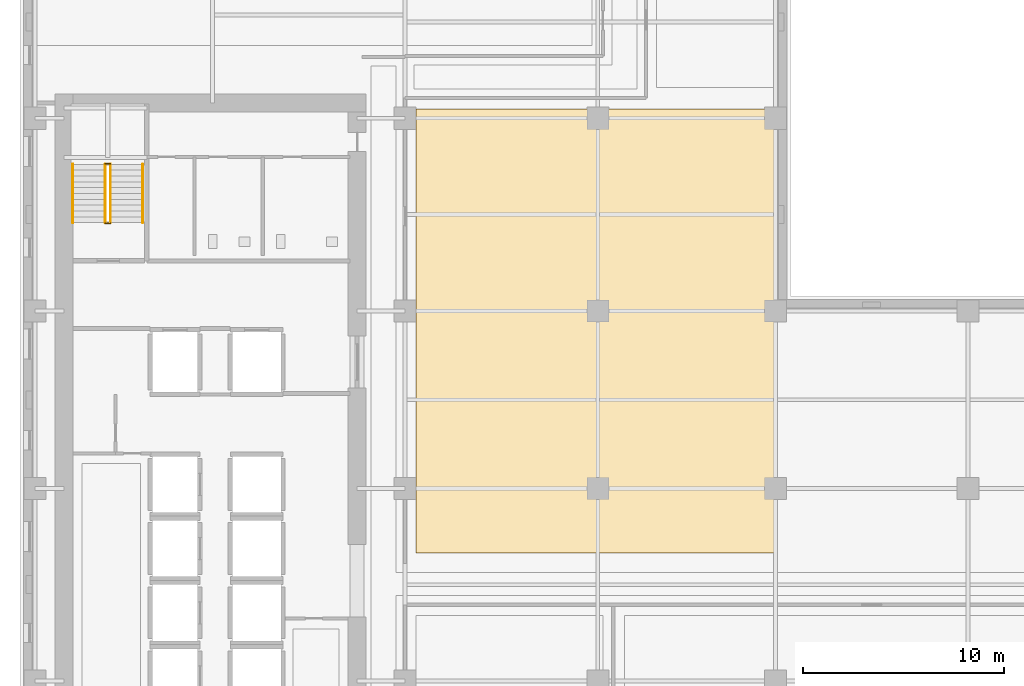
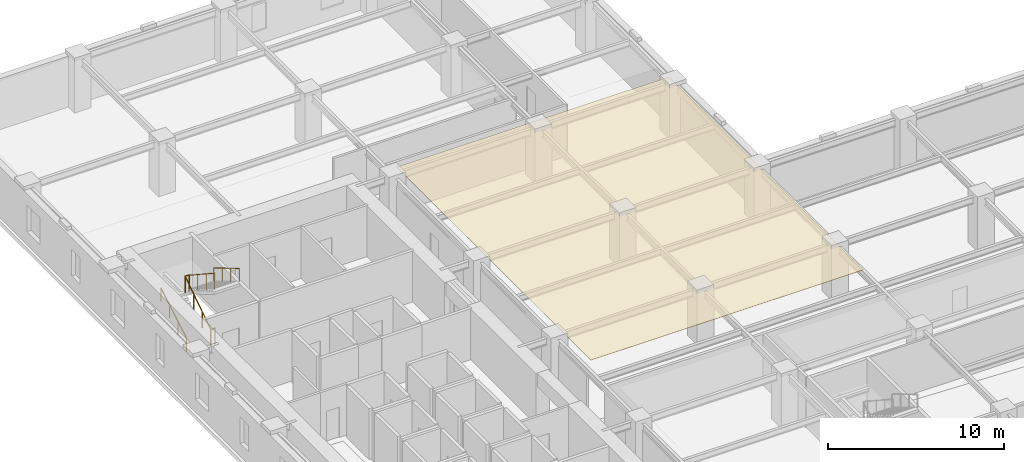
# One storey, part 11 of 13: 6 railings, 1 covering.
"""IFC4 building model written with IfcOpenShell, lengths in metres."""

from ifc_helpers import new_model, si_unit, direction, frame, origin, origin_2d, place, context, subcontext, project, spatial, polyline, circle, outline, extrude, material, layer, layer_set, type_object, element, save


model = new_model("IFC4")

# Units and contexts
model_context = context("Model", 3, precision=1e-05, world=origin(), true_north=direction((0.0, 1.0)))
body_context = subcontext(model_context, "Body", "Model", "MODEL_VIEW")
ifc_project = project(units=[si_unit("LENGTHUNIT", "METRE"), si_unit("AREAUNIT", "SQUARE_METRE"), si_unit("VOLUMEUNIT", "CUBIC_METRE"), si_unit("PLANEANGLEUNIT", "RADIAN"), si_unit("MASSUNIT", "GRAM", prefix="KILO")], contexts=[model_context])

# Site, building, storey
site_placement = place(None, origin())
site = spatial("IfcSite", under=ifc_project, at=site_placement, CompositionType="ELEMENT")
building_placement = place(site_placement, origin())
building = spatial("IfcBuilding", under=site, at=building_placement, Name="Norrvale University Quadrangle", CompositionType="ELEMENT")
storey_placement = place(building_placement, frame((0.0, 0.0, 81.199951171875)))
storey = spatial("IfcBuildingStorey", under=building, at=storey_placement, Name="L20", CompositionType="ELEMENT", Elevation=81.199951171875)

# Covering
ifc_material_1 = material(Name="Perforated Acoustic Mineral Ceiling")
ifc_layer = layer(ifc_material_1, 0.02490234375, Name="Perforated Acoustic Mineral Ceiling")
ifc_layer_set = layer_set([ifc_layer], Name="Perforated Acoustic Mineral Ceiling")
covering_type = type_object("IfcCoveringType", Name="Covering Acoustic Ceiling 25", PredefinedType="CEILING", material=ifc_layer_set)
covering_placement = place(storey_placement, frame((0.0, 0.0, 3.51513671875)))
element("IfcCovering", 1, at=covering_placement, inside=storey, type_object=covering_type, Name="Acoustic Ceiling RM-L20-MNE01", PredefinedType="CEILING", context=body_context, shape_type="SweptSolid", body=[
    extrude(outline(polyline([(19.72998046875, 47.719970703125), (37.64990234375, 47.719970703125), (37.64990234375, 25.580078125), (19.72998046875, 25.580078125), (19.72998046875, 47.719970703125)])), origin(), (0.0, 0.0, 1.0), 0.02490234375),
])

# Railings
ifc_material_2 = material(Name="Steel 350W Painted Balustrade", Category="steel")
railing_type_1 = type_object("IfcRailingType", Name="Railing Stair Guard 1100", PredefinedType="GUARDRAIL", material=ifc_material_2)
for number, where, name in (
    (2, (4.239990234375, 42.02001953125, 0.0), "Stair Floor Well Guard ST-02 L20"),
    (3, (4.239990234375, 44.97998046875, 1.900146484375), "Stair Mid-Landing Slot Guard ST-02 L20"),
):
    element("IfcRailing", number, at=place(storey_placement, frame(where)), inside=storey, type_object=railing_type_1, Name=name, PredefinedType="GUARDRAIL", context=body_context, shape_type="SweptSolid", body=[
        extrude(circle(Radius=0.02392578125, at=origin_2d()), frame((0.0, 0.0, 1.1259765625), z_axis=(1.0, 0.0, 0.0), x_axis=(0.0, 1.0, 0.0)), (0.0, 0.0, 1.0), 0.27001953125),
        extrude(circle(Radius=0.02099609375, at=origin_2d()), origin(), (0.0, 0.0, 1.0), 1.101806640625),
        extrude(circle(Radius=0.02099609375, at=origin_2d()), frame((0.27001953125, 0.0, 0.0)), (0.0, 0.0, 1.0), 1.101806640625),
    ])
railing_1_placement = place(storey_placement, frame((4.239990234375, 42.050048828125, 0.0)))
element("IfcRailing", 4, at=railing_1_placement, inside=storey, type_object=railing_type_1, Name="Stair Lower Flight Inner Guard ST-02 L20", PredefinedType="GUARDRAIL", context=body_context, shape_type="SweptSolid", body=[
    extrude(circle(Radius=0.02392578125, at=origin_2d()), frame((0.0, 0.0, 1.1259765625), z_axis=(0.0, 0.836433300813, 0.548068730445), x_axis=(-1.0, 0.0, 0.0)), (0.0, 0.0, 1.0), 3.467041015625),
    extrude(circle(Radius=0.02099609375, at=origin_2d()), origin(), (0.0, 0.0, 1.0), 1.101806640625),
    extrude(circle(Radius=0.02099609375, at=origin_2d()), frame((0.0, 0.966552734375, 0.63330078125)), (0.0, 0.0, 1.0), 1.101806640625),
    extrude(circle(Radius=0.02099609375, at=origin_2d()), frame((0.0, 1.933349609375, 1.266845703125)), (0.0, 0.0, 1.0), 1.101806640625),
    extrude(circle(Radius=0.02099609375, at=origin_2d()), frame((0.0, 2.89990234375, 1.900146484375)), (0.0, 0.0, 1.0), 1.101806640625),
])
railing_2_placement = place(storey_placement, frame((4.510009765625, 44.949951171875, 1.900146484375)))
element("IfcRailing", 5, at=railing_2_placement, inside=storey, type_object=railing_type_1, Name="Stair Upper Flight Inner Guard ST-02 L20", PredefinedType="GUARDRAIL", context=body_context, shape_type="SweptSolid", body=[
    extrude(circle(Radius=0.02392578125, at=origin_2d()), frame((0.0, 0.0, 1.1259765625), z_axis=(0.0, -0.836465582154, 0.548019461216), x_axis=(1.0, 0.0, 0.0)), (0.0, 0.0, 1.0), 3.466796875),
    extrude(circle(Radius=0.02099609375, at=origin_2d()), origin(), (0.0, 0.0, 1.0), 1.101806640625),
    extrude(circle(Radius=0.02099609375, at=origin_2d()), frame((0.0, -0.966552734375, 0.63330078125)), (0.0, 0.0, 1.0), 1.101806640625),
    extrude(circle(Radius=0.02099609375, at=origin_2d()), frame((0.0, -1.933349609375, 1.2666015625)), (0.0, 0.0, 1.0), 1.101806640625),
    extrude(circle(Radius=0.02099609375, at=origin_2d()), frame((0.0, -2.89990234375, 1.89990234375)), (0.0, 0.0, 1.0), 1.101806640625),
])
ifc_material_3 = material(Name="Stainless Steel 316L Handrail", Category="steel")
railing_type_2 = type_object("IfcRailingType", Name="Railing Stair Handrail 920", PredefinedType="HANDRAIL", material=ifc_material_3)
railing_3_placement = place(storey_placement, frame((2.639892578125, 42.050048828125, 0.1728515625)))
element("IfcRailing", 6, at=railing_3_placement, inside=storey, type_object=railing_type_2, Name="Stair Lower Flight Handrail ST-02 L20", PredefinedType="HANDRAIL", context=body_context, shape_type="SweptSolid", body=[
    extrude(circle(Radius=0.02392578125, at=origin_2d()), frame((0.0, 0.0, 0.89599609375), z_axis=(0.0, 0.859141464434, 0.511738159696), x_axis=(-1.0, 0.0, 0.0)), (0.0, 0.0, 1.0), 3.375244140625),
    extrude(circle(Radius=0.02099609375, at=origin_2d()), origin(), (0.0, 0.0, 1.0), 0.871826171875),
    extrude(circle(Radius=0.02099609375, at=origin_2d()), frame((0.0, 0.966552734375, 0.57568359375)), (0.0, 0.0, 1.0), 0.871826171875),
    extrude(circle(Radius=0.02099609375, at=origin_2d()), frame((0.0, 1.933349609375, 1.151611328125)), (0.0, 0.0, 1.0), 0.871826171875),
    extrude(circle(Radius=0.02099609375, at=origin_2d()), frame((0.0, 2.89990234375, 1.727294921875)), (0.0, 0.0, 1.0), 0.871826171875),
])
railing_4_placement = place(storey_placement, frame((6.110107421875, 44.949951171875, 2.07275390625)))
element("IfcRailing", 7, at=railing_4_placement, inside=storey, type_object=railing_type_2, Name="Stair Upper Flight Handrail ST-02 L20", PredefinedType="HANDRAIL", context=body_context, shape_type="SweptSolid", body=[
    extrude(circle(Radius=0.02392578125, at=origin_2d()), frame((0.0, 0.0, 0.89599609375), z_axis=(0.0, -0.859141464434, 0.511738159696), x_axis=(1.0, 0.0, 0.0)), (0.0, 0.0, 1.0), 3.375244140625),
    extrude(circle(Radius=0.02099609375, at=origin_2d()), origin(), (0.0, 0.0, 1.0), 0.871826171875),
    extrude(circle(Radius=0.02099609375, at=origin_2d()), frame((0.0, -0.966552734375, 0.57568359375)), (0.0, 0.0, 1.0), 0.871826171875),
    extrude(circle(Radius=0.02099609375, at=origin_2d()), frame((0.0, -1.933349609375, 1.151611328125)), (0.0, 0.0, 1.0), 0.871826171875),
    extrude(circle(Radius=0.02099609375, at=origin_2d()), frame((0.0, -2.89990234375, 1.727294921875)), (0.0, 0.0, 1.0), 0.871826171875),
])

save(model, "model.ifc")
